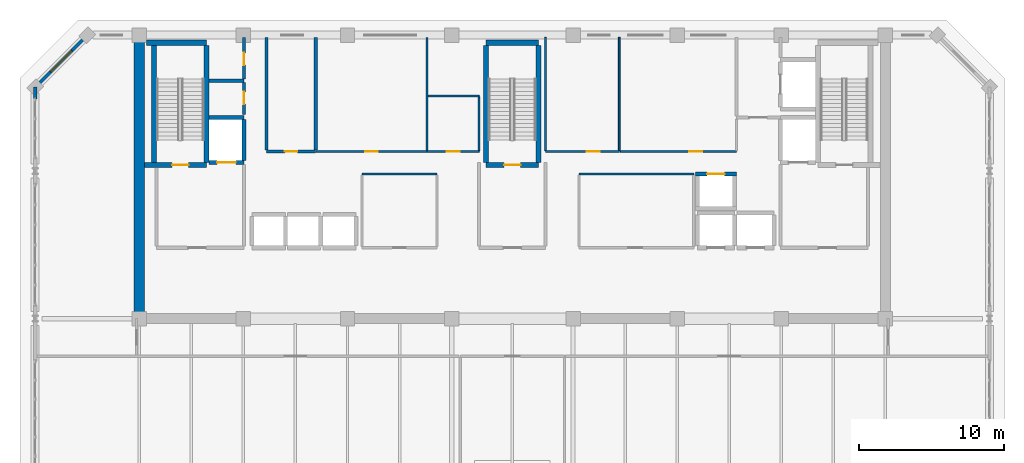
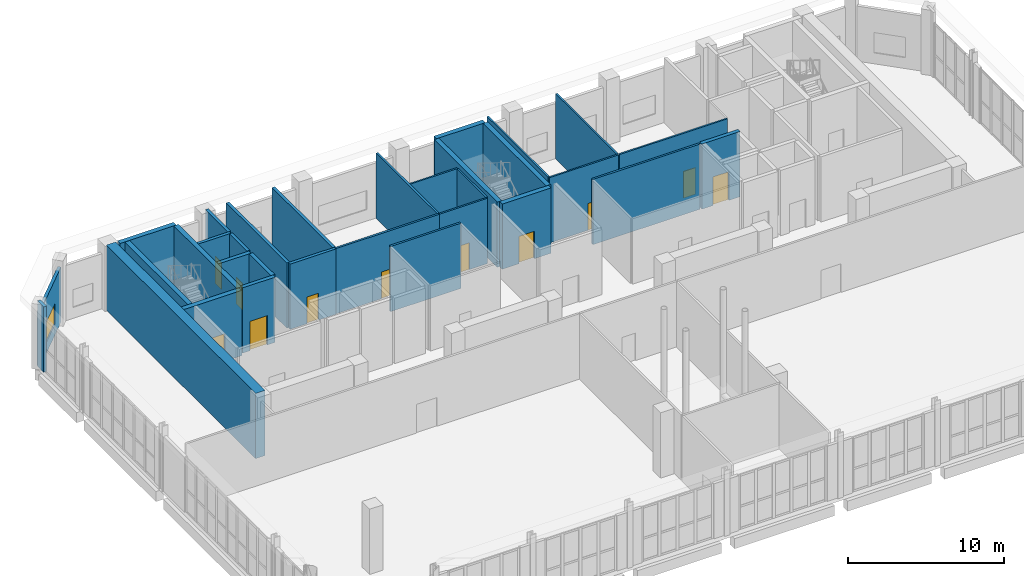
# One storey, part 21 of 26: 32 walls, 11 doors, 1 window, 12 openings.
"""IFC4 building model written with IfcOpenShell, lengths in metres."""

from ifc_helpers import new_model, si_unit, direction, frame, frame_2d, origin, place, context, subcontext, project, spatial, rectangle, extrude, material, layer, layer_set, type_object, element, fill, save


model = new_model("IFC4")

# Units and contexts
model_context = context("Model", 3, precision=1e-05, world=origin(), true_north=direction((0.0, 1.0)))
body_context = subcontext(model_context, "Body", "Model", "MODEL_VIEW")
ifc_project = project(units=[si_unit("LENGTHUNIT", "METRE"), si_unit("AREAUNIT", "SQUARE_METRE"), si_unit("VOLUMEUNIT", "CUBIC_METRE"), si_unit("PLANEANGLEUNIT", "RADIAN"), si_unit("MASSUNIT", "GRAM", prefix="KILO")], contexts=[model_context])

# Site, building, storey
site_placement = place(None, origin())
site = spatial("IfcSite", under=ifc_project, at=site_placement, CompositionType="ELEMENT")
building_placement = place(site_placement, origin())
building = spatial("IfcBuilding", under=site, at=building_placement, Name="Kaelvorn Grand Hotel", CompositionType="ELEMENT")
storey_placement = place(building_placement, frame((0.0, 0.0, 294.699951171875)))
storey = spatial("IfcBuildingStorey", under=building, at=storey_placement, Name="L72", CompositionType="ELEMENT", Elevation=294.699951171875)

# Wall
ifc_material_1 = material(Name="Concrete C50/60", Category="concrete")
ifc_layer_1 = layer(ifc_material_1, 0.699951171875)
ifc_layer_set_1 = layer_set([ifc_layer_1], Name="Concrete C50/60")
wall_type_1 = type_object("IfcWallType", Name="WL-CORE-700-C50", PredefinedType="SHEAR", material=ifc_layer_set_1)
wall_1_placement = place(storey_placement, frame((16.199951171875, 29.39990234375, 0.0), z_axis=(0.0, 0.0, 1.0), x_axis=(0.0, 1.0, 0.0)))
element("IfcWall", 1, at=wall_1_placement, inside=storey, type_object=wall_type_1, Name="L72 Rear-Core West Shear Wall", PredefinedType="SHEAR", context=body_context, shape_type="SweptSolid", body=[
    extrude(rectangle(XDim=19.2001953125, YDim=0.699951171875, at=frame_2d((9.60009765625, 0.0))), origin(), (0.0, 0.0, 1.0), 5.1201171875),
])

# Wall, opening, window
ifc_material_2 = material(Name="Concrete C40/50", Category="concrete")
ifc_layer_2 = layer(ifc_material_2, 0.219970703125)
ifc_layer_set_2 = layer_set([ifc_layer_2], Name="Concrete C40/50")
wall_type_2 = type_object("IfcWallType", Name="WL-EXT-220-C40", PredefinedType="SOLIDWALL", material=ifc_layer_set_2)
wall_2_placement = place(storey_placement, frame((12.60009765625, 49.0, 0.0), z_axis=(0.0, 0.0, 1.0), x_axis=(-0.707106781187, -0.707106781187, 0.0)))
wall_2 = element("IfcWall", 2, at=wall_2_placement, inside=storey, type_object=wall_type_2, Name="L72 Exterior Architectural Concrete Wall 06", PredefinedType="SOLIDWALL", context=body_context, shape_type="SweptSolid", body=[
    extrude(rectangle(XDim=5.09130859375, YDim=0.219970703125, at=frame_2d((2.545654296875, 0.0))), origin(), (0.0, 0.0, 1.0), 4.320068359375),
])
opening_1_placement = place(wall_2_placement, frame((1.49560546875, 0.0, 0.85009765625)))
opening_1 = element("IfcOpeningElement", 3, at=opening_1_placement, cuts=wall_2, Name="Opening W7", PredefinedType="OPENING", context=body_context, shape_type="SweptSolid", body=[
    extrude(rectangle(XDim=2.10009765625, YDim=1.60009765625, at=frame_2d((1.050048828125, 0.800048828125))), frame((0.0, 0.1201171875, 0.0), z_axis=(0.0, -1.0, 0.0), x_axis=(1.0, 0.0, 0.0)), (0.0, 0.0, 1.0), 0.239990234375),
])
ifc_material_3 = material(Name="Laminated Low-E Glass", Category="glass")
window_type = type_object("IfcWindowType", Name="WIN-CHM-2100x1600", PartitioningType="SINGLE_PANEL", PredefinedType="WINDOW", material=ifc_material_3)
window_placement = place(opening_1_placement, origin())
window = element("IfcWindow", 4, at=window_placement, inside=storey, type_object=window_type, Name="L72 Chamfered 45-Degree Corner Window NW", OverallHeight=1.60009765625, OverallWidth=2.10009765625, PartitioningType="SINGLE_PANEL", PredefinedType="WINDOW", context=body_context, shape_type="SweptSolid", body=[
    extrude(rectangle(XDim=2.10009765625, YDim=1.60009765625, at=frame_2d((1.050048828125, 0.800048828125))), frame((0.0, 0.030029296875, 0.0), z_axis=(0.0, -1.0, 0.0), x_axis=(1.0, 0.0, 0.0)), (0.0, 0.0, 1.0), 0.06005859375),
])
fill(opening_1, window)

# Wall
wall_3_placement = place(storey_placement, frame((9.0, 45.39990234375, 0.0), z_axis=(0.0, 0.0, 1.0), x_axis=(0.0, -1.0, 0.0)))
element("IfcWall", 5, at=wall_3_placement, inside=storey, type_object=wall_type_2, Name="L72 Exterior Architectural Concrete Wall 07 Pier 1", PredefinedType="SOLIDWALL", context=body_context, shape_type="SweptSolid", body=[
    extrude(rectangle(XDim=0.804931640625, YDim=0.219970703125, at=frame_2d((0.40234375, 0.0))), origin(), (0.0, 0.0, 1.0), 5.1201171875),
])

# Wall, opening, door
ifc_material_4 = material(Name="Moisture-Resistant Tile & Stud Board")
ifc_layer_3 = layer(ifc_material_4, 0.125)
ifc_layer_set_3 = layer_set([ifc_layer_3], Name="Moisture-Resistant Tile & Stud Board")
wall_type_3 = type_object("IfcWallType", Name="WL-PART-125-WET", PredefinedType="PARTITIONING", material=ifc_layer_set_3)
wall_4_placement = place(storey_placement, frame((36.110107421875, 40.949951171875, 0.0), z_axis=(0.0, 0.0, 1.0), x_axis=(1.0, 0.0, 0.0)))
wall_4 = element("IfcWall", 6, at=wall_4_placement, inside=storey, type_object=wall_type_3, Name="L72 Accessible WC S Partition", PredefinedType="PARTITIONING", context=body_context, shape_type="SweptSolid", body=[
    extrude(rectangle(XDim=3.58984375, YDim=0.125, at=frame_2d((1.794921875, 0.0))), origin(), (0.0, 0.0, 1.0), 5.1201171875),
])
opening_2_placement = place(wall_4_placement, frame((1.340087890625, 0.0, 0.0)))
opening_2 = element("IfcOpeningElement", 7, at=opening_2_placement, cuts=wall_4, Name="Opening DI4", PredefinedType="OPENING", context=body_context, shape_type="SweptSolid", body=[
    extrude(rectangle(XDim=0.89990234375, YDim=2.10009765625, at=frame_2d((0.449951171875, 1.050048828125))), frame((0.0, 0.072509765625, 0.0), z_axis=(0.0, -1.0, 0.0), x_axis=(1.0, 0.0, 0.0)), (0.0, 0.0, 1.0), 0.14501953125),
])
ifc_material_5 = material(Name="Timber Veneer Leaf", Category="wood")
door_type_1 = type_object("IfcDoorType", Name="DR-INT-BATH-900x2100", OperationType="NOTDEFINED", PredefinedType="DOOR", material=ifc_material_5)
door_1_placement = place(opening_2_placement, origin())
door_1 = element("IfcDoor", 8, at=door_1_placement, inside=storey, type_object=door_type_1, Name="L72 Accessible WC Door", OperationType="SINGLE_SWING_LEFT", OverallHeight=2.10009765625, OverallWidth=0.89990234375, PredefinedType="DOOR", context=body_context, shape_type="SweptSolid", body=[
    extrude(rectangle(XDim=0.89990234375, YDim=2.10009765625, at=frame_2d((0.449951171875, 1.050048828125))), frame((0.0, 0.02490234375, 0.0), z_axis=(0.0, -1.0, 0.0), x_axis=(1.0, 0.0, 0.0)), (0.0, 0.0, 1.0), 0.050048828125),
])
fill(opening_2, door_1)

# Walls
wall_5_placement = place(storey_placement, frame((36.179931640625, 44.800048828125, 0.0), z_axis=(0.0, 0.0, 1.0), x_axis=(1.0, 0.0, 0.0)))
element("IfcWall", 9, at=wall_5_placement, inside=storey, type_object=wall_type_3, Name="L72 Accessible WC N Partition", PredefinedType="PARTITIONING", context=body_context, shape_type="SweptSolid", body=[
    extrude(rectangle(XDim=3.52001953125, YDim=0.125, at=frame_2d((1.760009765625, 0.0))), origin(), (0.0, 0.0, 1.0), 5.1201171875),
])
wall_6_placement = place(storey_placement, frame((39.699951171875, 41.017578125, 0.0), z_axis=(0.0, 0.0, 1.0), x_axis=(0.0, 1.0, 0.0)))
element("IfcWall", 10, at=wall_6_placement, inside=storey, type_object=wall_type_3, Name="L72 Accessible WC E Partition", PredefinedType="PARTITIONING", context=body_context, shape_type="SweptSolid", body=[
    extrude(rectangle(XDim=3.71484375, YDim=0.125, at=frame_2d((1.857421875, 0.0))), origin(), (0.0, 0.0, 1.0), 5.1201171875),
])

# Wall, opening, door
wall_7_placement = place(storey_placement, frame((44.300048828125, 40.949951171875, 0.0), z_axis=(0.0, 0.0, 1.0), x_axis=(1.0, 0.0, 0.0)))
wall_7 = element("IfcWall", 11, at=wall_7_placement, inside=storey, type_object=wall_type_3, Name="L72 Male Toilets S Partition", PredefinedType="PARTITIONING", context=body_context, shape_type="SweptSolid", body=[
    extrude(rectangle(XDim=5.099853515625, YDim=0.125, at=frame_2d((2.5498046875, 0.0))), origin(), (0.0, 0.0, 1.0), 5.1201171875),
])
opening_3_placement = place(wall_7_placement, frame((2.85009765625, 0.0, 0.0)))
opening_3 = element("IfcOpeningElement", 12, at=opening_3_placement, cuts=wall_7, Name="Opening DI4", PredefinedType="OPENING", context=body_context, shape_type="SweptSolid", body=[
    extrude(rectangle(XDim=0.89990234375, YDim=2.10009765625, at=frame_2d((0.449951171875, 1.050048828125))), frame((0.0, 0.072509765625, 0.0), z_axis=(0.0, -1.0, 0.0), x_axis=(1.0, 0.0, 0.0)), (0.0, 0.0, 1.0), 0.14501953125),
])
door_2_placement = place(opening_3_placement, origin())
door_2 = element("IfcDoor", 13, at=door_2_placement, inside=storey, type_object=door_type_1, Name="L72 Male Toilets Door", OperationType="SINGLE_SWING_RIGHT", OverallHeight=2.10009765625, OverallWidth=0.89990234375, PredefinedType="DOOR", context=body_context, shape_type="SweptSolid", body=[
    extrude(rectangle(XDim=0.89990234375, YDim=2.10009765625, at=frame_2d((0.449951171875, 1.050048828125))), frame((0.0, 0.02490234375, 0.0), z_axis=(0.0, -1.0, 0.0), x_axis=(1.0, 0.0, 0.0)), (0.0, 0.0, 1.0), 0.050048828125),
])
fill(opening_3, door_2)

# Walls
for number, where, z_axis, x_axis, name in (
    (14, (44.300048828125, 41.017578125, 0.0), (0.0, 0.0, 1.0), (0.0, 1.0, 0.0), "L72 Male Toilets W Partition"),
    (15, (49.39990234375, 41.017578125, 0.0), (0.0, 0.0, 1.0), (0.0, 1.0, 0.0), "L72 Male Toilets E Partition"),
):
    element("IfcWall", number, at=place(storey_placement, frame(where, z_axis=z_axis, x_axis=x_axis)), inside=storey, type_object=wall_type_3, Name=name, PredefinedType="PARTITIONING", context=body_context, shape_type="SweptSolid", body=[
        extrude(rectangle(XDim=7.83251953125, YDim=0.125, at=frame_2d((3.916259765625, 0.0))), origin(), (0.0, 0.0, 1.0), 5.1201171875),
    ])

# Wall, opening, door
wall_8_placement = place(storey_placement, frame((49.467529296875, 40.949951171875, 0.0), z_axis=(0.0, 0.0, 1.0), x_axis=(1.0, 0.0, 0.0)))
wall_8 = element("IfcWall", 16, at=wall_8_placement, inside=storey, type_object=wall_type_3, Name="L72 Female Toilets S Partition", PredefinedType="PARTITIONING", context=body_context, shape_type="SweptSolid", body=[
    extrude(rectangle(XDim=8.032470703125, YDim=0.125, at=frame_2d((4.01611328125, 0.0))), origin(), (0.0, 0.0, 1.0), 5.1201171875),
])
opening_4_placement = place(wall_8_placement, frame((4.782470703125, 0.0, 0.0)))
opening_4 = element("IfcOpeningElement", 17, at=opening_4_placement, cuts=wall_8, Name="Opening DI4", PredefinedType="OPENING", context=body_context, shape_type="SweptSolid", body=[
    extrude(rectangle(XDim=0.89990234375, YDim=2.10009765625, at=frame_2d((0.449951171875, 1.050048828125))), frame((0.0, 0.072509765625, 0.0), z_axis=(0.0, -1.0, 0.0), x_axis=(1.0, 0.0, 0.0)), (0.0, 0.0, 1.0), 0.14501953125),
])
door_3_placement = place(opening_4_placement, origin())
door_3 = element("IfcDoor", 18, at=door_3_placement, inside=storey, type_object=door_type_1, Name="L72 Female Toilets Door", OperationType="SINGLE_SWING_LEFT", OverallHeight=2.10009765625, OverallWidth=0.89990234375, PredefinedType="DOOR", context=body_context, shape_type="SweptSolid", body=[
    extrude(rectangle(XDim=0.89990234375, YDim=2.10009765625, at=frame_2d((0.449951171875, 1.050048828125))), frame((0.0, 0.02490234375, 0.0), z_axis=(0.0, -1.0, 0.0), x_axis=(1.0, 0.0, 0.0)), (0.0, 0.0, 1.0), 0.050048828125),
])
fill(opening_4, door_3)

# Walls
ifc_material_6 = material(Name="Acoustic Gypsum & Stud Partition")
ifc_layer_4 = layer(ifc_material_6, 0.14990234375)
ifc_layer_set_4 = layer_set([ifc_layer_4], Name="Acoustic Gypsum & Stud Partition")
wall_type_4 = type_object("IfcWallType", Name="WL-PART-150-EI60", PredefinedType="PARTITIONING", material=ifc_layer_set_4)
wall_9_placement = place(storey_placement, frame((31.60009765625, 39.39990234375, 0.0), z_axis=(0.0, 0.0, 1.0), x_axis=(1.0, 0.0, 0.0)))
element("IfcWall", 19, at=wall_9_placement, inside=storey, type_object=wall_type_4, Name="L72 Core Telecoms & BMS Server Room N Partition", PredefinedType="PARTITIONING", context=body_context, shape_type="SweptSolid", body=[
    extrude(rectangle(XDim=5.199951171875, YDim=0.14990234375, at=frame_2d((2.60009765625, 0.0))), origin(), (0.0, 0.0, 1.0), 5.1201171875),
])
wall_10_placement = place(storey_placement, frame((46.60009765625, 39.39990234375, 0.0), z_axis=(0.0, 0.0, 1.0), x_axis=(1.0, 0.0, 0.0)))
element("IfcWall", 20, at=wall_10_placement, inside=storey, type_object=wall_type_4, Name="L72 Sky Concierge & Butler Pantry Lounge N Partition", PredefinedType="PARTITIONING", context=body_context, shape_type="SweptSolid", body=[
    extrude(rectangle(XDim=7.949951171875, YDim=0.14990234375, at=frame_2d((3.97509765625, 0.0))), origin(), (0.0, 0.0, 1.0), 5.1201171875),
])

# Wall, opening, door
wall_11_placement = place(storey_placement, frame((28.409912109375, 40.949951171875, 0.0), z_axis=(0.0, 0.0, 1.0), x_axis=(1.0, 0.0, 0.0)))
wall_11 = element("IfcWall", 21, at=wall_11_placement, inside=storey, type_object=wall_type_4, Name="L72 Central BOH Supply Store S Partition", PredefinedType="PARTITIONING", context=body_context, shape_type="SweptSolid", body=[
    extrude(rectangle(XDim=7.690185546875, YDim=0.14990234375, at=frame_2d((3.84521484375, 0.0))), origin(), (0.0, 0.0, 1.0), 5.1201171875),
])
opening_5_placement = place(wall_11_placement, frame((3.4150390625, 0.0, 0.0)))
opening_5 = element("IfcOpeningElement", 22, at=opening_5_placement, cuts=wall_11, Name="Opening DI7", PredefinedType="OPENING", context=body_context, shape_type="SweptSolid", body=[
    extrude(rectangle(XDim=0.85009765625, YDim=2.10009765625, at=frame_2d((0.425048828125, 1.050048828125))), frame((0.0, 0.0849609375, 0.0), z_axis=(0.0, -1.0, 0.0), x_axis=(1.0, 0.0, 0.0)), (0.0, 0.0, 1.0), 0.169921875),
])
ifc_material_7 = material(Name="Powder-Coated Steel Leaf", Category="steel")
door_type_2 = type_object("IfcDoorType", Name="DR-INT-RISER-850x2100", OperationType="NOTDEFINED", PredefinedType="DOOR", material=ifc_material_7)
door_4_placement = place(opening_5_placement, origin())
door_4 = element("IfcDoor", 23, at=door_4_placement, inside=storey, type_object=door_type_2, Name="L72 Central BOH Supply Store Door", OperationType="SINGLE_SWING_RIGHT", OverallHeight=2.10009765625, OverallWidth=0.85009765625, PredefinedType="DOOR", context=body_context, shape_type="SweptSolid", body=[
    extrude(rectangle(XDim=0.85009765625, YDim=2.10009765625, at=frame_2d((0.425048828125, 1.050048828125))), frame((0.0, 0.02490234375, 0.0), z_axis=(0.0, -1.0, 0.0), x_axis=(1.0, 0.0, 0.0)), (0.0, 0.0, 1.0), 0.050048828125),
])
fill(opening_5, door_4)

# Walls
wall_12_placement = place(storey_placement, frame((36.10009765625, 41.030029296875, 0.0), z_axis=(0.0, 0.0, 1.0), x_axis=(0.0, 1.0, 0.0)))
element("IfcWall", 24, at=wall_12_placement, inside=storey, type_object=wall_type_4, Name="L72 Central BOH Supply Store E Partition", PredefinedType="PARTITIONING", context=body_context, shape_type="SweptSolid", body=[
    extrude(rectangle(XDim=7.820068359375, YDim=0.14990234375, at=frame_2d((3.91015625, 0.0))), origin(), (0.0, 0.0, 1.0), 5.1201171875),
])
ifc_layer_5 = layer(ifc_material_2, 0.219970703125)
ifc_layer_set_5 = layer_set([ifc_layer_5], Name="Concrete C40/50")
wall_type_5 = type_object("IfcWallType", Name="WL-PART-220-EI120", PredefinedType="PARTITIONING", material=ifc_layer_set_5)
wall_13_placement = place(storey_placement, frame((21.034912109375, 45.85009765625, 0.0), z_axis=(0.0, 0.0, 1.0), x_axis=(1.0, 0.0, 0.0)))
element("IfcWall", 25, at=wall_13_placement, inside=storey, type_object=wall_type_5, Name="L72 Wet Fire & Plumbing Riser Shaft N Partition", PredefinedType="PARTITIONING", context=body_context, shape_type="SweptSolid", body=[
    extrude(rectangle(XDim=2.4150390625, YDim=0.219970703125, at=frame_2d((1.20751953125, 0.0))), origin(), (0.0, 0.0, 1.0), 5.1201171875),
])

# Wall, opening, door
wall_14_placement = place(storey_placement, frame((23.449951171875, 43.5, 0.0), z_axis=(0.0, 0.0, 1.0), x_axis=(0.0, 1.0, 0.0)))
wall_14 = element("IfcWall", 26, at=wall_14_placement, inside=storey, type_object=wall_type_5, Name="L72 Wet Fire & Plumbing Riser Shaft E Partition", PredefinedType="PARTITIONING", context=body_context, shape_type="SweptSolid", body=[
    extrude(rectangle(XDim=2.235107421875, YDim=0.219970703125, at=frame_2d((1.11767578125, 0.0))), origin(), (0.0, 0.0, 1.0), 5.1201171875),
])
opening_6_placement = place(wall_14_placement, frame((0.72509765625, 0.0, 0.0)))
opening_6 = element("IfcOpeningElement", 27, at=opening_6_placement, cuts=wall_14, Name="Opening DI7", PredefinedType="OPENING", context=body_context, shape_type="SweptSolid", body=[
    extrude(rectangle(XDim=0.85009765625, YDim=2.10009765625, at=frame_2d((0.425048828125, 1.050048828125))), frame((0.0, 0.1201171875, 0.0), z_axis=(0.0, -1.0, 0.0), x_axis=(1.0, 0.0, 0.0)), (0.0, 0.0, 1.0), 0.239990234375),
])
door_5_placement = place(opening_6_placement, origin())
door_5 = element("IfcDoor", 28, at=door_5_placement, inside=storey, type_object=door_type_2, Name="L72 Wet Fire & Plumbing Riser Shaft Door", OperationType="SINGLE_SWING_LEFT", OverallHeight=2.10009765625, OverallWidth=0.85009765625, PredefinedType="DOOR", context=body_context, shape_type="SweptSolid", body=[
    extrude(rectangle(XDim=0.85009765625, YDim=2.10009765625, at=frame_2d((0.425048828125, 1.050048828125))), frame((0.0, 0.02490234375, 0.0), z_axis=(0.0, -1.0, 0.0), x_axis=(1.0, 0.0, 0.0)), (0.0, 0.0, 1.0), 0.050048828125),
])
fill(opening_6, door_5)

wall_15_placement = place(storey_placement, frame((23.449951171875, 45.965087890625, 0.0), z_axis=(0.0, 0.0, 1.0), x_axis=(0.0, 1.0, 0.0)))
wall_15 = element("IfcWall", 29, at=wall_15_placement, inside=storey, type_object=wall_type_5, Name="L72 HV Electrical & Smoke Riser E Partition", PredefinedType="PARTITIONING", context=body_context, shape_type="SweptSolid", body=[
    extrude(rectangle(XDim=2.885009765625, YDim=0.219970703125, at=frame_2d((1.4423828125, 0.0))), origin(), (0.0, 0.0, 1.0), 5.1201171875),
])
opening_7_placement = place(wall_15_placement, frame((0.9599609375, 0.0, 0.0)))
opening_7 = element("IfcOpeningElement", 30, at=opening_7_placement, cuts=wall_15, Name="Opening DI7", PredefinedType="OPENING", context=body_context, shape_type="SweptSolid", body=[
    extrude(rectangle(XDim=0.85009765625, YDim=2.10009765625, at=frame_2d((0.425048828125, 1.050048828125))), frame((0.0, 0.1201171875, 0.0), z_axis=(0.0, -1.0, 0.0), x_axis=(1.0, 0.0, 0.0)), (0.0, 0.0, 1.0), 0.239990234375),
])
door_6_placement = place(opening_7_placement, origin())
door_6 = element("IfcDoor", 31, at=door_6_placement, inside=storey, type_object=door_type_2, Name="L72 HV Electrical & Smoke Riser Door", OperationType="SINGLE_SWING_RIGHT", OverallHeight=2.10009765625, OverallWidth=0.85009765625, PredefinedType="DOOR", context=body_context, shape_type="SweptSolid", body=[
    extrude(rectangle(XDim=0.85009765625, YDim=2.10009765625, at=frame_2d((0.425048828125, 1.050048828125))), frame((0.0, 0.02490234375, 0.0), z_axis=(0.0, -1.0, 0.0), x_axis=(1.0, 0.0, 0.0)), (0.0, 0.0, 1.0), 0.050048828125),
])
fill(opening_7, door_6)

wall_16_placement = place(storey_placement, frame((25.0, 40.949951171875, 0.0), z_axis=(0.0, 0.0, 1.0), x_axis=(1.0, 0.0, 0.0)))
wall_16 = element("IfcWall", 32, at=wall_16_placement, inside=storey, type_object=wall_type_5, Name="L72 Electrical Distribution Room S Partition", PredefinedType="PARTITIONING", context=body_context, shape_type="SweptSolid", body=[
    extrude(rectangle(XDim=3.39990234375, YDim=0.219970703125, at=frame_2d((1.699951171875, 0.0))), origin(), (0.0, 0.0, 1.0), 5.1201171875),
])
opening_8_placement = place(wall_16_placement, frame((1.27490234375, 0.0, 0.0)))
opening_8 = element("IfcOpeningElement", 33, at=opening_8_placement, cuts=wall_16, Name="Opening DI7", PredefinedType="OPENING", context=body_context, shape_type="SweptSolid", body=[
    extrude(rectangle(XDim=0.85009765625, YDim=2.10009765625, at=frame_2d((0.425048828125, 1.050048828125))), frame((0.0, 0.1201171875, 0.0), z_axis=(0.0, -1.0, 0.0), x_axis=(1.0, 0.0, 0.0)), (0.0, 0.0, 1.0), 0.239990234375),
])
door_7_placement = place(opening_8_placement, origin())
door_7 = element("IfcDoor", 34, at=door_7_placement, inside=storey, type_object=door_type_2, Name="L72 Electrical Distribution Room Door", OperationType="SINGLE_SWING_LEFT", OverallHeight=2.10009765625, OverallWidth=0.85009765625, PredefinedType="DOOR", context=body_context, shape_type="SweptSolid", body=[
    extrude(rectangle(XDim=0.85009765625, YDim=2.10009765625, at=frame_2d((0.425048828125, 1.050048828125))), frame((0.0, 0.02490234375, 0.0), z_axis=(0.0, -1.0, 0.0), x_axis=(1.0, 0.0, 0.0)), (0.0, 0.0, 1.0), 0.050048828125),
])
fill(opening_8, door_7)

# Walls
for number, where, z_axis, x_axis, name in (
    (35, (25.0, 41.06494140625, 0.0), (0.0, 0.0, 1.0), (0.0, 1.0, 0.0), "L72 Electrical Distribution Room W Partition"),
    (36, (28.39990234375, 41.06494140625, 0.0), (0.0, 0.0, 1.0), (0.0, 1.0, 0.0), "L72 Electrical Distribution Room E Partition"),
):
    element("IfcWall", number, at=place(storey_placement, frame(where, z_axis=z_axis, x_axis=x_axis)), inside=storey, type_object=wall_type_5, Name=name, PredefinedType="PARTITIONING", context=body_context, shape_type="SweptSolid", body=[
        extrude(rectangle(XDim=7.78515625, YDim=0.219970703125, at=frame_2d((3.892578125, 0.0))), origin(), (0.0, 0.0, 1.0), 5.1201171875),
    ])

# Wall, opening, door
ifc_layer_6 = layer(ifc_material_1, 0.280029296875)
ifc_layer_set_6 = layer_set([ifc_layer_6], Name="Concrete C50/60")
wall_type_6 = type_object("IfcWallType", Name="WL-SHAFT-280-C50", PredefinedType="SHEAR", material=ifc_layer_set_6)
wall_17_placement = place(storey_placement, frame((54.659912109375, 39.39990234375, 0.0), z_axis=(0.0, 0.0, 1.0), x_axis=(1.0, 0.0, 0.0)))
wall_17 = element("IfcWall", 37, at=wall_17_placement, inside=storey, type_object=wall_type_6, Name="L72 Lift OL-3 Shaft North Wall", PredefinedType="SHEAR", context=body_context, shape_type="SweptSolid", body=[
    extrude(rectangle(XDim=2.830078125, YDim=0.280029296875, at=frame_2d((1.4150390625, 0.0))), origin(), (0.0, 0.0, 1.0), 5.1201171875),
])
opening_9_placement = place(wall_17_placement, frame((0.81494140625, 0.0, 0.0)))
opening_9 = element("IfcOpeningElement", 38, at=opening_9_placement, cuts=wall_17, Name="Opening LD-OL-3", PredefinedType="OPENING", context=body_context, shape_type="SweptSolid", body=[
    extrude(rectangle(XDim=1.199951171875, YDim=2.25, at=frame_2d((0.60009765625, 1.125))), frame((0.0, 0.14990234375, 0.0), z_axis=(0.0, -1.0, 0.0), x_axis=(1.0, 0.0, 0.0)), (0.0, 0.0, 1.0), 0.300048828125),
])
ifc_material_8 = material(Name="Stainless Steel", Category="steel")
door_type_3 = type_object("IfcDoorType", Name="DR-LIFT-SHUT-1200x2250", OperationType="DOUBLE_DOOR_SLIDING", PredefinedType="DOOR", material=ifc_material_8)
door_8_placement = place(opening_9_placement, origin())
door_8 = element("IfcDoor", 39, at=door_8_placement, inside=storey, type_object=door_type_3, Name="L72 Lift OL-3 Sliding Landing Door LD-OL-3", OperationType="DOUBLE_DOOR_SLIDING", OverallHeight=2.25, OverallWidth=1.199951171875, PredefinedType="DOOR", context=body_context, shape_type="SweptSolid", body=[
    extrude(rectangle(XDim=1.199951171875, YDim=2.25, at=frame_2d((0.60009765625, 1.125))), frame((0.0, 0.02490234375, 0.0), z_axis=(0.0, -1.0, 0.0), x_axis=(1.0, 0.0, 0.0)), (0.0, 0.0, 1.0), 0.050048828125),
])
fill(opening_9, door_8)

wall_18_placement = place(storey_placement, frame((21.034912109375, 40.199951171875, 0.0), z_axis=(0.0, 0.0, 1.0), x_axis=(1.0, 0.0, 0.0)))
wall_18 = element("IfcWall", 40, at=wall_18_placement, inside=storey, type_object=wall_type_6, Name="L72 Lift FFL1 Shaft South Wall", PredefinedType="SHEAR", context=body_context, shape_type="SweptSolid", body=[
    extrude(rectangle(XDim=2.4150390625, YDim=0.280029296875, at=frame_2d((1.20751953125, 0.0))), origin(), (0.0, 0.0, 1.0), 5.1201171875),
])
opening_10_placement = place(wall_18_placement, frame((0.5400390625, 0.0, 0.0)))
opening_10 = element("IfcOpeningElement", 41, at=opening_10_placement, cuts=wall_18, Name="Opening LD-FFL1", PredefinedType="OPENING", context=body_context, shape_type="SweptSolid", body=[
    extrude(rectangle(XDim=1.300048828125, YDim=2.300048828125, at=frame_2d((0.64990234375, 1.14990234375))), frame((0.0, 0.14990234375, 0.0), z_axis=(0.0, -1.0, 0.0), x_axis=(1.0, 0.0, 0.0)), (0.0, 0.0, 1.0), 0.300048828125),
])
door_type_4 = type_object("IfcDoorType", Name="DR-LIFT-SERV-1300x2300", OperationType="DOUBLE_DOOR_SLIDING", PredefinedType="DOOR", material=ifc_material_8)
door_9_placement = place(opening_10_placement, origin())
door_9 = element("IfcDoor", 42, at=door_9_placement, inside=storey, type_object=door_type_4, Name="L72 Lift FFL1 Sliding Landing Door LD-FFL1", OperationType="DOUBLE_DOOR_SLIDING", OverallHeight=2.300048828125, OverallWidth=1.300048828125, PredefinedType="DOOR", context=body_context, shape_type="SweptSolid", body=[
    extrude(rectangle(XDim=1.300048828125, YDim=2.300048828125, at=frame_2d((0.64990234375, 1.14990234375))), frame((0.0, 0.02490234375, 0.0), z_axis=(0.0, -1.0, 0.0), x_axis=(1.0, 0.0, 0.0)), (0.0, 0.0, 1.0), 0.050048828125),
])
fill(opening_10, door_9)

# Walls
wall_19_placement = place(storey_placement, frame((21.034912109375, 43.300048828125, 0.0), z_axis=(0.0, 0.0, 1.0), x_axis=(1.0, 0.0, 0.0)))
element("IfcWall", 43, at=wall_19_placement, inside=storey, type_object=wall_type_6, Name="L72 Lift FFL1 Shaft North Wall", PredefinedType="SHEAR", context=body_context, shape_type="SweptSolid", body=[
    extrude(rectangle(XDim=2.4150390625, YDim=0.280029296875, at=frame_2d((1.20751953125, 0.0))), origin(), (0.0, 0.0, 1.0), 5.1201171875),
])
wall_20_placement = place(storey_placement, frame((23.449951171875, 40.344970703125, 0.0), z_axis=(0.0, 0.0, 1.0), x_axis=(0.0, 1.0, 0.0)))
element("IfcWall", 44, at=wall_20_placement, inside=storey, type_object=wall_type_6, Name="L72 Lift FFL1 Shaft East Wall", PredefinedType="SHEAR", context=body_context, shape_type="SweptSolid", body=[
    extrude(rectangle(XDim=2.81005859375, YDim=0.280029296875, at=frame_2d((1.405029296875, 0.0))), origin(), (0.0, 0.0, 1.0), 5.1201171875),
])

# Wall, opening, door
ifc_material_9 = material(Name="Concrete C60/75", Category="concrete")
ifc_layer_7 = layer(ifc_material_9, 0.35009765625)
ifc_layer_set_7 = layer_set([ifc_layer_7], Name="Concrete C60/75")
wall_type_7 = type_object("IfcWallType", Name="WL-SHAFT-350-C60", PredefinedType="SHEAR", material=ifc_layer_set_7)
wall_21_placement = place(storey_placement, frame((16.554931640625, 40.02490234375, 0.0), z_axis=(0.0, 0.0, 1.0), x_axis=(1.0, 0.0, 0.0)))
wall_21 = element("IfcWall", 45, at=wall_21_placement, inside=storey, type_object=wall_type_7, Name="L72 ST1 Stair Shaft South Wall", PredefinedType="SHEAR", context=body_context, shape_type="SweptSolid", body=[
    extrude(rectangle(XDim=4.300048828125, YDim=0.35009765625, at=frame_2d((2.14990234375, 0.0))), origin(), (0.0, 0.0, 1.0), 5.1201171875),
])
opening_11_placement = place(wall_21_placement, frame((1.909912109375, 0.0, 0.0)))
opening_11 = element("IfcOpeningElement", 46, at=opening_11_placement, cuts=wall_21, Name="Opening DI1", PredefinedType="OPENING", context=body_context, shape_type="SweptSolid", body=[
    extrude(rectangle(XDim=1.14990234375, YDim=2.14990234375, at=frame_2d((0.574951171875, 1.074951171875))), frame((0.0, 0.18505859375, 0.0), z_axis=(0.0, -1.0, 0.0), x_axis=(1.0, 0.0, 0.0)), (0.0, 0.0, 1.0), 0.3701171875),
])
ifc_material_10 = material(Name="Timber Veneer Fire Leaf", Category="wood")
door_type_5 = type_object("IfcDoorType", Name="DR-INT-STAIR-1150x2150", OperationType="NOTDEFINED", PredefinedType="DOOR", material=ifc_material_10)
door_10_placement = place(opening_11_placement, origin())
door_10 = element("IfcDoor", 47, at=door_10_placement, inside=storey, type_object=door_type_5, Name="L72 ST1 Exit Stair Fire Door", OperationType="SINGLE_SWING_RIGHT", OverallHeight=2.14990234375, OverallWidth=1.14990234375, PredefinedType="DOOR", context=body_context, shape_type="SweptSolid", body=[
    extrude(rectangle(XDim=1.14990234375, YDim=2.14990234375, at=frame_2d((0.574951171875, 1.074951171875))), frame((0.0, 0.02490234375, 0.0), z_axis=(0.0, -1.0, 0.0), x_axis=(1.0, 0.0, 0.0)), (0.0, 0.0, 1.0), 0.050048828125),
])
fill(opening_11, door_10)

# Walls
wall_22_placement = place(storey_placement, frame((16.705078125, 48.47509765625, 0.0), z_axis=(0.0, 0.0, 1.0), x_axis=(1.0, 0.0, 0.0)))
element("IfcWall", 48, at=wall_22_placement, inside=storey, type_object=wall_type_7, Name="L72 ST1 Stair Shaft North Wall", PredefinedType="SHEAR", context=body_context, shape_type="SweptSolid", body=[
    extrude(rectangle(XDim=4.14990234375, YDim=0.35009765625, at=frame_2d((2.074951171875, 0.0))), origin(), (0.0, 0.0, 1.0), 5.1201171875),
])
for number, where, z_axis, x_axis, name in (
    (49, (17.22509765625, 40.205078125, 0.0), (0.0, 0.0, 1.0), (0.0, 1.0, 0.0), "L72 ST1 Stair Shaft West Wall"),
    (50, (20.85498046875, 40.205078125, 0.0), (0.0, 0.0, 1.0), (0.0, 1.0, 0.0), "L72 ST1 Stair Shaft East Wall"),
):
    element("IfcWall", number, at=place(storey_placement, frame(where, z_axis=z_axis, x_axis=x_axis)), inside=storey, type_object=wall_type_7, Name=name, PredefinedType="SHEAR", context=body_context, shape_type="SweptSolid", body=[
        extrude(rectangle(XDim=8.08984375, YDim=0.35009765625, at=frame_2d((4.044921875, 0.0))), origin(), (0.0, 0.0, 1.0), 5.1201171875),
    ])

# Wall, opening, door
wall_23_placement = place(storey_placement, frame((40.18505859375, 40.02490234375, 0.0), z_axis=(0.0, 0.0, 1.0), x_axis=(1.0, 0.0, 0.0)))
wall_23 = element("IfcWall", 51, at=wall_23_placement, inside=storey, type_object=wall_type_7, Name="L72 ST2 Stair Shaft South Wall", PredefinedType="SHEAR", context=body_context, shape_type="SweptSolid", body=[
    extrude(rectangle(XDim=3.6298828125, YDim=0.35009765625, at=frame_2d((1.81494140625, 0.0))), origin(), (0.0, 0.0, 1.0), 5.1201171875),
])
opening_12_placement = place(wall_23_placement, frame((1.239990234375, 0.0, 0.0)))
opening_12 = element("IfcOpeningElement", 52, at=opening_12_placement, cuts=wall_23, Name="Opening DI1", PredefinedType="OPENING", context=body_context, shape_type="SweptSolid", body=[
    extrude(rectangle(XDim=1.14990234375, YDim=2.14990234375, at=frame_2d((0.574951171875, 1.074951171875))), frame((0.0, 0.18505859375, 0.0), z_axis=(0.0, -1.0, 0.0), x_axis=(1.0, 0.0, 0.0)), (0.0, 0.0, 1.0), 0.3701171875),
])
door_11_placement = place(opening_12_placement, origin())
door_11 = element("IfcDoor", 53, at=door_11_placement, inside=storey, type_object=door_type_5, Name="L72 ST2 Exit Stair Fire Door", OperationType="SINGLE_SWING_LEFT", OverallHeight=2.14990234375, OverallWidth=1.14990234375, PredefinedType="DOOR", context=body_context, shape_type="SweptSolid", body=[
    extrude(rectangle(XDim=1.14990234375, YDim=2.14990234375, at=frame_2d((0.574951171875, 1.074951171875))), frame((0.0, 0.02490234375, 0.0), z_axis=(0.0, -1.0, 0.0), x_axis=(1.0, 0.0, 0.0)), (0.0, 0.0, 1.0), 0.050048828125),
])
fill(opening_12, door_11)

# Walls
wall_24_placement = place(storey_placement, frame((40.18505859375, 48.47509765625, 0.0), z_axis=(0.0, 0.0, 1.0), x_axis=(1.0, 0.0, 0.0)))
element("IfcWall", 54, at=wall_24_placement, inside=storey, type_object=wall_type_7, Name="L72 ST2 Stair Shaft North Wall", PredefinedType="SHEAR", context=body_context, shape_type="SweptSolid", body=[
    extrude(rectangle(XDim=3.6298828125, YDim=0.35009765625, at=frame_2d((1.81494140625, 0.0))), origin(), (0.0, 0.0, 1.0), 5.1201171875),
])
for number, where, z_axis, x_axis, name in (
    (55, (40.18505859375, 40.205078125, 0.0), (0.0, 0.0, 1.0), (0.0, 1.0, 0.0), "L72 ST2 Stair Shaft West Wall"),
    (56, (43.81494140625, 40.205078125, 0.0), (0.0, 0.0, 1.0), (0.0, 1.0, 0.0), "L72 ST2 Stair Shaft East Wall"),
):
    element("IfcWall", number, at=place(storey_placement, frame(where, z_axis=z_axis, x_axis=x_axis)), inside=storey, type_object=wall_type_7, Name=name, PredefinedType="SHEAR", context=body_context, shape_type="SweptSolid", body=[
        extrude(rectangle(XDim=8.08984375, YDim=0.35009765625, at=frame_2d((4.044921875, 0.0))), origin(), (0.0, 0.0, 1.0), 5.1201171875),
    ])

save(model, "model.ifc")
